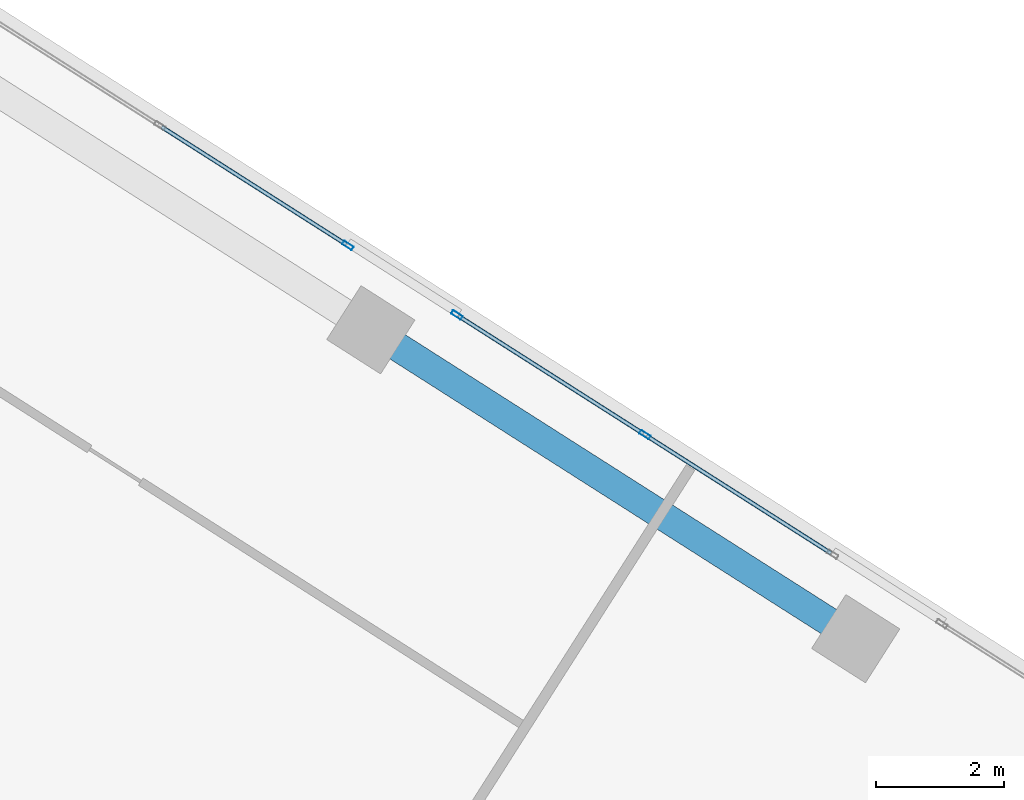
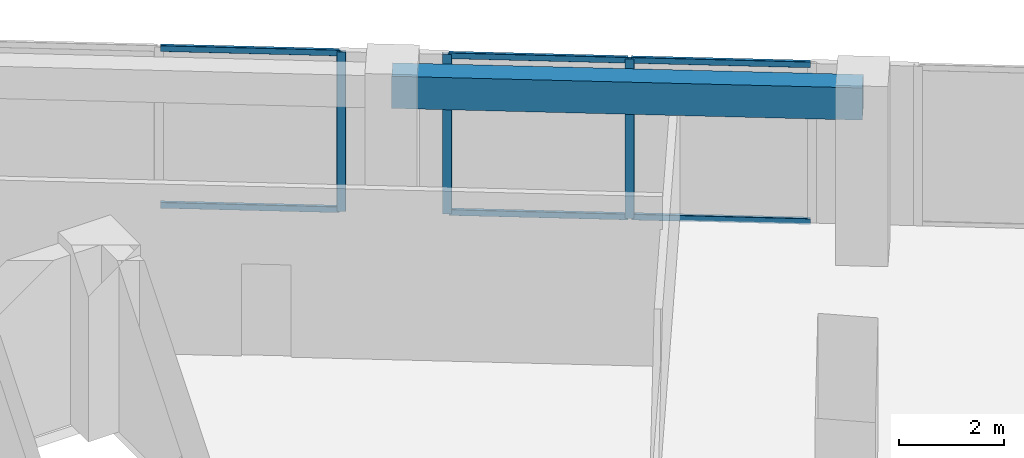
# One storey, part 16 of 23: 9 members, 1 beam, 2 elements without a shape of their own.
"""IFC4 building model written with IfcOpenShell, lengths in metres."""

import ifcopenshell
import ifcopenshell.guid

model = None  # the IFC model being written
_history = None  # IfcOwnerHistory: only IFC2X3 demands one
_inside = {}  # id of a spatial element -> (the spatial element, [elements in it])
_under = {}  # id of a project, library or spatial element -> (it, [spatial elements below it])
_declared = {}  # id of a project -> (the project, [libraries it declares])
_typed = {}  # id of a type object -> (the type object, [elements of that type])
_made_of = {}  # id of a material, layer set ... -> (it, [elements and type objects made of it])


def new_model(schema):
    """Start an empty IFC model of exactly this schema.

    Asked for "IFC4X3", IfcOpenShell would pick the latest addendum, in which some entities
    have other attributes; the version numbers below select the first issue.
    IFC2X3 requires an IfcOwnerHistory on every rooted entity: one is made here for all.
    """
    global model, _history
    if schema == "IFC4X3":
        model = ifcopenshell.file(schema_version=(4, 3, 0, 0))
    else:
        model = ifcopenshell.file(schema=schema)
    _inside.clear()
    _under.clear()
    _declared.clear()
    _typed.clear()
    _made_of.clear()
    _history = None
    if model.schema == "IFC2X3":
        org = make("IfcOrganization", Name="unknown")
        user = make(
            "IfcPersonAndOrganization",
            ThePerson=make("IfcPerson", FamilyName="unknown"),
            TheOrganization=org,
        )
        app = make(
            "IfcApplication",
            ApplicationDeveloper=org,
            Version="unknown",
            ApplicationFullName="unknown",
            ApplicationIdentifier="unknown",
        )
        _history = make(
            "IfcOwnerHistory",
            OwningUser=user,
            OwningApplication=app,
            ChangeAction="ADDED",
            CreationDate=0,
        )
    return model


def make(cls, **values):
    """One entity of the class cls with the attributes given. An attribute that is None is left unset."""
    return model.create_entity(
        cls, **{name: value for name, value in values.items() if value is not None}
    )


def rooted(cls, **values):
    """An entity with a GlobalId (a new one), such as an element, a storey or a relation."""
    return make(cls, GlobalId=ifcopenshell.guid.new(), OwnerHistory=_history, **values)


def si_unit(unit_type, name, prefix=None):
    """IfcSIUnit, for example si_unit("LENGTHUNIT", "METRE", prefix="MILLI")."""
    return make("IfcSIUnit", UnitType=unit_type, Prefix=prefix, Name=name)


def assignment(units):
    """IfcUnitAssignment: the units of a project."""
    return None if units is None else make("IfcUnitAssignment", Units=units)


def point(xyz):
    """IfcCartesianPoint."""
    return None if xyz is None else make("IfcCartesianPoint", Coordinates=xyz)


def direction(xyz):
    """IfcDirection."""
    return None if xyz is None else make("IfcDirection", DirectionRatios=xyz)


def frame(location, z_axis=None, x_axis=None):
    """IfcAxis2Placement3D, a coordinate frame: its origin and axes. An axis left out is left unset."""
    return make(
        "IfcAxis2Placement3D",
        Location=point(location),
        Axis=direction(z_axis),
        RefDirection=direction(x_axis),
    )


def frame_2d(location, x_axis=None):
    """IfcAxis2Placement2D, a coordinate frame in the plane: its origin and x axis."""
    return make(
        "IfcAxis2Placement2D", Location=point(location), RefDirection=direction(x_axis)
    )


def origin():
    """The frame at (0, 0, 0) with its axes left unset."""
    return frame((0.0, 0.0, 0.0))


def origin_2d():
    """The frame at (0, 0) in the plane with its x axis left unset."""
    return frame_2d((0.0, 0.0))


def place(relative_to, where):
    """IfcLocalPlacement: puts the frame where relative to a parent placement (None: the world)."""
    return make(
        "IfcLocalPlacement", PlacementRelTo=relative_to, RelativePlacement=where
    )


def context(
    kind, dimensions, precision=None, world=None, true_north=None, identifier=None
):
    """IfcGeometricRepresentationContext, for example the 3D "Model" context."""
    return make(
        "IfcGeometricRepresentationContext",
        ContextIdentifier=identifier,
        ContextType=kind,
        CoordinateSpaceDimension=dimensions,
        Precision=precision,
        WorldCoordinateSystem=world,
        TrueNorth=true_north,
    )


def subcontext(parent, identifier, kind, view, scale=None):
    """IfcGeometricRepresentationSubContext, for example "Body" below "Model"."""
    return make(
        "IfcGeometricRepresentationSubContext",
        ContextIdentifier=identifier,
        ContextType=kind,
        ParentContext=parent,
        TargetScale=scale,
        TargetView=view,
    )


def project(units=None, contexts=None):
    """IfcProject with its units and contexts."""
    return rooted(
        "IfcProject",
        Name="project",
        RepresentationContexts=contexts,
        UnitsInContext=assignment(units),
    )


def spatial(cls, under=None, at=None, **own):
    """A site, building, storey or space (cls), placed at a placement, below another one or the project."""
    s = rooted(cls, ObjectPlacement=at, **own)
    if under is not None:
        _under.setdefault(under.id(), (under, []))[1].append(s)
    return s


def profile(cls, at=None, kind="AREA", **sizes):
    """A parametric profile (cls). Its sizes go by their IFC names, for example OverallWidth=200.0."""
    return make(cls, ProfileType=kind, Position=at, **sizes)


def rectangle(**sizes):
    """IfcRectangleProfileDef."""
    return profile("IfcRectangleProfileDef", **sizes)


def hollow_rectangle(**sizes):
    """IfcRectangleHollowProfileDef."""
    return profile("IfcRectangleHollowProfileDef", **sizes)


def extrude(swept, where, along, depth):
    """IfcExtrudedAreaSolid: the profile swept, set in the frame where, extruded along a direction by depth."""
    return make(
        "IfcExtrudedAreaSolid",
        SweptArea=swept,
        Position=where,
        ExtrudedDirection=direction(along),
        Depth=depth,
    )


def shape(context_of_items, identifier, shape_type, items):
    """IfcShapeRepresentation: the items that make up one representation, for example the "Body"."""
    return make(
        "IfcShapeRepresentation",
        ContextOfItems=context_of_items,
        RepresentationIdentifier=identifier,
        RepresentationType=shape_type,
        Items=items,
    )


def source(mapping_origin, context_of_items, identifier, shape_type, items):
    """IfcRepresentationMap: a shape defined once, which mapped items show again and again."""
    return make(
        "IfcRepresentationMap",
        MappingOrigin=mapping_origin,
        MappedRepresentation=shape(context_of_items, identifier, shape_type, items),
    )


def transform(
    local_origin,
    x_axis=None,
    y_axis=None,
    z_axis=None,
    scale=None,
    scale2=None,
    scale3=None,
    uniform=True,
):
    """IfcCartesianTransformationOperator3D, or its non-uniform kind. x_axis, y_axis, z_axis: its Axis1, 2, 3."""
    if uniform:
        return make(
            "IfcCartesianTransformationOperator3D",
            Axis1=direction(x_axis),
            Axis2=direction(y_axis),
            LocalOrigin=point(local_origin),
            Scale=scale,
            Axis3=direction(z_axis),
        )
    return make(
        "IfcCartesianTransformationOperator3DnonUniform",
        Axis1=direction(x_axis),
        Axis2=direction(y_axis),
        LocalOrigin=point(local_origin),
        Scale=scale,
        Axis3=direction(z_axis),
        Scale2=scale2,
        Scale3=scale3,
    )


def mapped(mapping_source, mapping_target):
    """IfcMappedItem: shows the shape of a source again, moved by a transform."""
    return make(
        "IfcMappedItem", MappingSource=mapping_source, MappingTarget=mapping_target
    )


def material(Name=None, Category=None):
    """IfcMaterial."""
    return make("IfcMaterial", Name=Name, Category=Category)


def material_profile(
    of_material, cross_section, Name=None, Category=None, Priority=None
):
    """IfcMaterialProfile: a cross section and its material."""
    return make(
        "IfcMaterialProfile",
        Name=Name,
        Material=of_material,
        Profile=cross_section,
        Priority=Priority,
        Category=Category,
    )


def profile_set(profiles, Name=None, composite=None):
    """IfcMaterialProfileSet."""
    return make(
        "IfcMaterialProfileSet",
        Name=Name,
        MaterialProfiles=profiles,
        CompositeProfile=composite,
    )


def made_of(thing, what):
    """Note that an element or type object is made of a material, layer set ...; save() writes the relation."""
    if what is not None:
        _made_of.setdefault(what.id(), (what, []))[1].append(thing)
    return thing


def type_object(cls, material=None, **own):
    """A type object (cls), such as IfcWallType, which elements share."""
    return made_of(rooted(cls, **own), material)


def element(
    cls,
    number,
    at=None,
    inside=None,
    cuts=None,
    type_object=None,
    material=None,
    context=None,
    identifier="Body",
    shape_type=None,
    held_by="IfcProductDefinitionShape",
    body=None,
    shapes=None,
    **own,
):
    """One element of the class cls, such as IfcWall. Its Tag is "e" and its number.

    at: its placement. inside: the storey or other place that contains it. cuts: it is an
    opening in that element (IfcRelVoidsElement). A single representation is given by context,
    identifier, shape_type and body (its items); several are given by shapes. held_by: the class
    of the entity that holds the representations. save() writes the other relations.
    """
    e = rooted(cls, Tag="e%d" % number, ObjectPlacement=at, **own)
    if body is not None:
        shapes = [shape(context, identifier, shape_type, body)]
    if shapes is not None:
        e.Representation = make(held_by, Representations=shapes)
    if inside is not None:
        _inside.setdefault(inside.id(), (inside, []))[1].append(e)
    if cuts is not None:
        rooted(
            "IfcRelVoidsElement", RelatingBuildingElement=cuts, RelatedOpeningElement=e
        )
    if type_object is not None:
        _typed.setdefault(type_object.id(), (type_object, []))[1].append(e)
    return made_of(e, material)


def aggregate(whole, parts):
    """IfcRelAggregates: a whole, such as a stair, and the parts it consists of."""
    return rooted("IfcRelAggregates", RelatingObject=whole, RelatedObjects=parts)


def save(model, path):
    """Write the relations noted so far, then the file.

    IfcRelAggregates (storeys below a building ...), IfcRelContainedInSpatialStructure (elements
    in a storey), IfcRelDefinesByType, IfcRelAssociatesMaterial and IfcRelDeclares: one each for
    every whole, place, type object, material and project.
    """
    for whole, parts in _under.values():
        aggregate(whole, parts)
    for where, things in _inside.values():
        rooted(
            "IfcRelContainedInSpatialStructure",
            RelatedElements=things,
            RelatingStructure=where,
        )
    for kind, things in _typed.values():
        rooted("IfcRelDefinesByType", RelatedObjects=things, RelatingType=kind)
    for what, things in _made_of.values():
        rooted("IfcRelAssociatesMaterial", RelatedObjects=things, RelatingMaterial=what)
    for by, libraries in _declared.values():
        rooted("IfcRelDeclares", RelatingContext=by, RelatedDefinitions=libraries)
    model.write(path)


model = new_model("IFC4")

# Units and contexts
model_context = context("Model", 3, precision=1e-05, world=origin(), true_north=direction((0.0, 1.0)))
body_context = subcontext(model_context, "Body", "Model", "MODEL_VIEW")
ifc_project = project(units=[si_unit("LENGTHUNIT", "METRE"), si_unit("AREAUNIT", "SQUARE_METRE"), si_unit("VOLUMEUNIT", "CUBIC_METRE"), si_unit("PLANEANGLEUNIT", "RADIAN"), si_unit("MASSUNIT", "GRAM", prefix="KILO")], contexts=[model_context])

# Site, building, storey
site_placement = place(None, origin())
site = spatial("IfcSite", under=ifc_project, at=site_placement, CompositionType="ELEMENT")
building_placement = place(site_placement, origin())
building = spatial("IfcBuilding", under=site, at=building_placement, Name="Torre Montelarca", CompositionType="ELEMENT")
storey_placement = place(building_placement, frame((0.0, 0.0, 187.60009765625)))
storey = spatial("IfcBuildingStorey", under=building, at=storey_placement, Name="L42", CompositionType="ELEMENT", Elevation=187.60009765625)

# Beam
ifc_material_1 = material(Name="Concrete C55/67", Category="concrete")
ifc_material_profile_1 = material_profile(ifc_material_1, rectangle(XDim=0.449951171875, YDim=0.75, at=origin_2d()), Name="RCB450X750", Category="concrete")
ifc_profile_set_1 = profile_set([ifc_material_profile_1], Name="Concrete C55/67")
beam_type = type_object("IfcBeamType", Name="BM-SP-RC750-EXT", PredefinedType="SPANDREL", material=ifc_profile_set_1)
shared_shape_1 = source(origin(), body_context, "Body", "SweptSolid", [
    extrude(rectangle(XDim=0.449951171875, YDim=0.75, at=origin_2d()), origin(), (0.0, 0.0, 1.0), 9.0),
])
beam_placement = place(storey_placement, frame((34.27880859375, 41.822265625, 3.5849609375), z_axis=(0.843393307865, -0.5372966855, 0.0), x_axis=(0.5372966855, 0.843393307865, 0.0)))
element("IfcBeam", 1, at=beam_placement, inside=storey, type_object=beam_type, Name="L42 Grid Girder X 27.0-36.0 at Y=47.1", PredefinedType="SPANDREL", context=body_context, shape_type="MappedRepresentation", body=[
    mapped(shared_shape_1, transform((0.0, 0.0, 0.0), scale=1.0)),
])

# Curtain wall, members
ifc_material_2 = material(Name="Insulated low-E laminated glass", Category="glass")
curtain_wall_type = type_object("IfcCurtainWallType", Name="CW-SYS-Z2", PredefinedType="USERDEFINED", material=ifc_material_2)
curtain_wall_1_placement = place(storey_placement, origin())
curtain_wall_1 = element("IfcCurtainWall", 2, at=curtain_wall_1_placement, inside=storey, type_object=curtain_wall_type, Name="L42 Curtain Wall Run CW-T3-L42-E08-B2", ObjectType="UNITISED GLAZING", PredefinedType="USERDEFINED")
ifc_material_3 = material(Name="Anodised aluminium AA 6063-T6", Category="aluminium")
ifc_material_profile_2 = material_profile(ifc_material_3, hollow_rectangle(XDim=0.06494140625, YDim=0.179931640625, WallThickness=0.00390625, InnerFilletRadius=0.00390625, OuterFilletRadius=0.008056640625, at=origin_2d()), Name="ALU65X180X4", Category="aluminium")
ifc_profile_set_2 = profile_set([ifc_material_profile_2], Name="Anodised aluminium AA 6063-T6")
member_type_1 = type_object("IfcMemberType", Name="CWM-ALU180", PredefinedType="MULLION", material=ifc_profile_set_2)
shared_shape_2 = source(origin(), body_context, "Body", "SweptSolid", [
    extrude(hollow_rectangle(XDim=0.06494140625, YDim=0.179931640625, WallThickness=0.00390625, InnerFilletRadius=0.00390625, OuterFilletRadius=0.008056640625, at=origin_2d()), origin(), (0.0, 0.0, 1.0), 3.719970703125),
])
member_1_placement = place(storey_placement, frame((38.568359375, 40.180419921875, 0.0), z_axis=(0.0, 0.0, 1.0), x_axis=(-0.537299136145, -0.843391746638, 0.0)))
member_1 = element("IfcMember", 3, at=member_1_placement, type_object=member_type_1, Name="CW mullion 2", PredefinedType="MULLION", context=body_context, shape_type="MappedRepresentation", body=[
    mapped(shared_shape_2, transform((0.0, 0.0, 0.0), scale=1.0)),
])
member_2_placement = place(storey_placement, frame((35.626953125, 42.05419921875, 0.0), z_axis=(0.0, 0.0, 1.0), x_axis=(-0.537299136145, -0.843391746638, 0.0)))
member_2 = element("IfcMember", 4, at=member_2_placement, type_object=member_type_1, Name="CW mullion 3", PredefinedType="MULLION", context=body_context, shape_type="MappedRepresentation", body=[
    mapped(shared_shape_2, transform((0.0, 0.0, 0.0), scale=1.0)),
])

# Curtain wall, member
curtain_wall_2_placement = place(storey_placement, origin())
curtain_wall_2 = element("IfcCurtainWall", 5, at=curtain_wall_2_placement, inside=storey, type_object=curtain_wall_type, Name="L42 Curtain Wall Run CW-T3-L42-E08-B3", ObjectType="UNITISED GLAZING", PredefinedType="USERDEFINED")
member_3_placement = place(storey_placement, frame((33.919189453125, 43.14208984375, 0.0), z_axis=(0.0, 0.0, 1.0), x_axis=(-0.537305573022, -0.843387645866, 0.0)))
member_3 = element("IfcMember", 6, at=member_3_placement, type_object=member_type_1, Name="CW mullion 1", PredefinedType="MULLION", context=body_context, shape_type="MappedRepresentation", body=[
    mapped(shared_shape_2, transform((0.0, 0.0, 0.0), scale=1.0)),
])

# Member
ifc_material_profile_3 = material_profile(ifc_material_3, hollow_rectangle(XDim=0.06494140625, YDim=0.139892578125, WallThickness=0.00390625, InnerFilletRadius=0.00390625, OuterFilletRadius=0.008056640625, at=origin_2d()), Name="ALU65X140X4", Category="aluminium")
ifc_profile_set_3 = profile_set([ifc_material_profile_3], Name="Anodised aluminium AA 6063-T6")
member_type_2 = type_object("IfcMemberType", Name="CWT-ALU140", PredefinedType="USERDEFINED", material=ifc_profile_set_3)
shared_shape_3 = source(origin(), body_context, "Body", "SweptSolid", [
    extrude(hollow_rectangle(XDim=0.06494140625, YDim=0.139892578125, WallThickness=0.00390625, InnerFilletRadius=0.00390625, OuterFilletRadius=0.008056640625, at=origin_2d()), origin(), (0.0, 0.0, 1.0), 3.42236328125),
])
member_4_placement = place(storey_placement, frame((41.482177734375, 38.323974609375, 0.032470703125), z_axis=(-0.843394086607, 0.537295463108, 0.0), x_axis=(-0.537295463108, -0.843394086607, 0.0)))
member_4 = element("IfcMember", 7, at=member_4_placement, type_object=member_type_2, Name="CW transom 1.1", ObjectType="TRANSOM", PredefinedType="USERDEFINED", context=body_context, shape_type="MappedRepresentation", body=[
    mapped(shared_shape_3, transform((0.0, 0.0, 0.0), scale=1.0)),
])

member_5_placement = place(storey_placement, frame((41.482177734375, 38.323974609375, 3.6875), z_axis=(-0.843394086607, 0.537295463108, 0.0), x_axis=(-0.537295463108, -0.843394086607, 0.0)))
member_5 = element("IfcMember", 8, at=member_5_placement, type_object=member_type_2, Name="CW transom 1.2", ObjectType="TRANSOM", PredefinedType="USERDEFINED", context=body_context, shape_type="MappedRepresentation", body=[
    mapped(shared_shape_3, transform((0.0, 0.0, 0.0), scale=1.0)),
])

member_6_placement = place(storey_placement, frame((38.541015625, 40.19775390625, 0.032470703125), z_axis=(-0.843394086607, 0.537295463108, 0.0), x_axis=(-0.537295463108, -0.843394086607, 0.0)))
member_6 = element("IfcMember", 9, at=member_6_placement, type_object=member_type_2, Name="CW transom 2.1", ObjectType="TRANSOM", PredefinedType="USERDEFINED", context=body_context, shape_type="MappedRepresentation", body=[
    mapped(shared_shape_3, transform((0.0, 0.0, 0.0), scale=1.0)),
])

member_7_placement = place(storey_placement, frame((38.541015625, 40.19775390625, 3.6875), z_axis=(-0.843394086607, 0.537295463108, 0.0), x_axis=(-0.537295463108, -0.843394086607, 0.0)))
member_7 = element("IfcMember", 10, at=member_7_placement, type_object=member_type_2, Name="CW transom 2.2", ObjectType="TRANSOM", PredefinedType="USERDEFINED", context=body_context, shape_type="MappedRepresentation", body=[
    mapped(shared_shape_3, transform((0.0, 0.0, 0.0), scale=1.0)),
])

aggregate(curtain_wall_1, [member_1, member_2, member_4, member_5, member_6, member_7])

member_8_placement = place(storey_placement, frame((33.8916015625, 43.15966796875, 0.032470703125), z_axis=(-0.843394086607, 0.537295463108, 0.0), x_axis=(-0.537295463108, -0.843394086607, 0.0)))
member_8 = element("IfcMember", 11, at=member_8_placement, type_object=member_type_2, Name="CW transom 1.1", ObjectType="TRANSOM", PredefinedType="USERDEFINED", context=body_context, shape_type="MappedRepresentation", body=[
    mapped(shared_shape_3, transform((0.0, 0.0, 0.0), scale=1.0)),
])

member_9_placement = place(storey_placement, frame((33.8916015625, 43.15966796875, 3.6875), z_axis=(-0.843394086607, 0.537295463108, 0.0), x_axis=(-0.537295463108, -0.843394086607, 0.0)))
member_9 = element("IfcMember", 12, at=member_9_placement, type_object=member_type_2, Name="CW transom 1.2", ObjectType="TRANSOM", PredefinedType="USERDEFINED", context=body_context, shape_type="MappedRepresentation", body=[
    mapped(shared_shape_3, transform((0.0, 0.0, 0.0), scale=1.0)),
])

aggregate(curtain_wall_2, [member_3, member_8, member_9])

save(model, "model.ifc")
